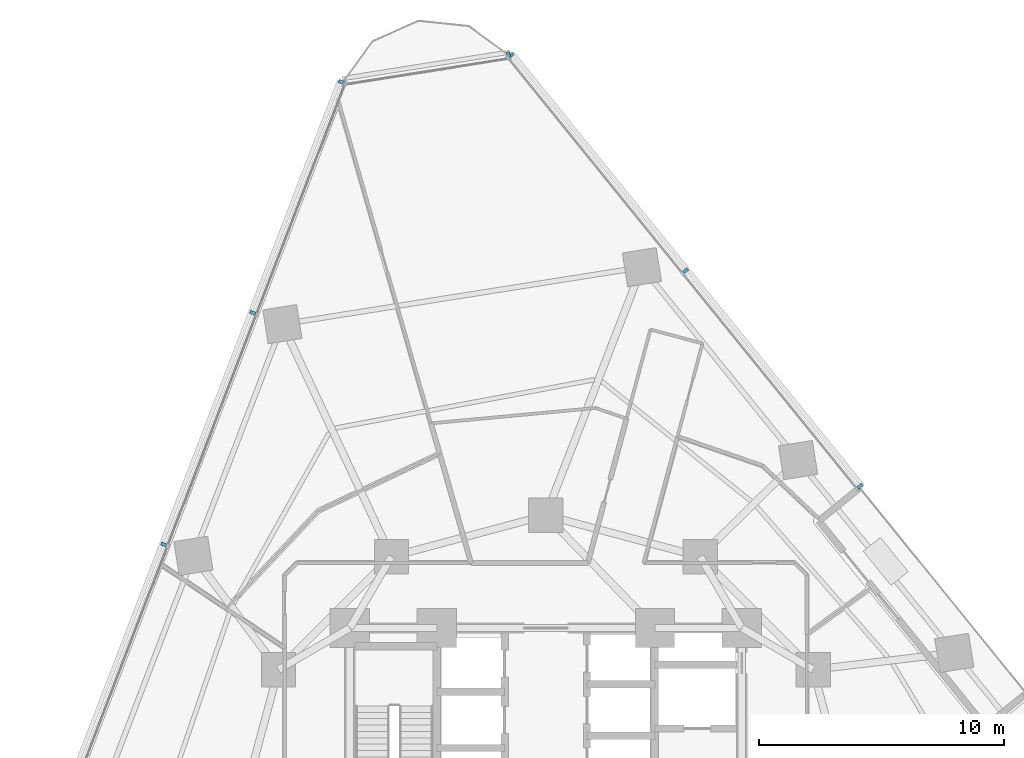
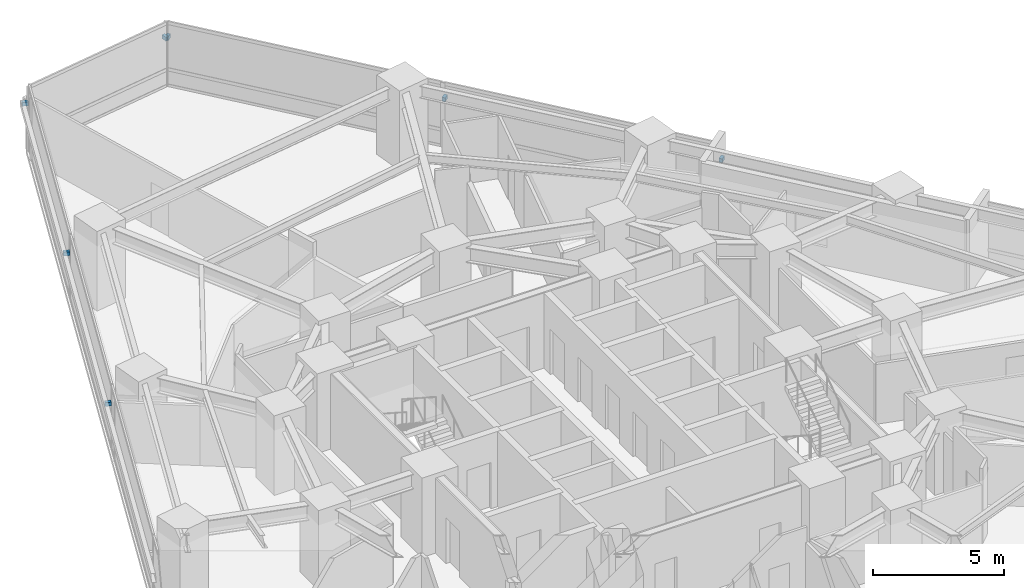
# One storey, part 11 of 14: 7 discrete accessories.
"""IFC4 building model written with IfcOpenShell, lengths in metres."""

from ifc_helpers import new_model, si_unit, direction, frame, origin, origin_2d, place, context, subcontext, project, spatial, rectangle, extrude, material, type_object, element, save


model = new_model("IFC4")

# Units and contexts
model_context = context("Model", 3, precision=1e-05, world=origin(), true_north=direction((0.0, 1.0)))
body_context = subcontext(model_context, "Body", "Model", "MODEL_VIEW")
ifc_project = project(units=[si_unit("LENGTHUNIT", "METRE"), si_unit("AREAUNIT", "SQUARE_METRE"), si_unit("VOLUMEUNIT", "CUBIC_METRE"), si_unit("PLANEANGLEUNIT", "RADIAN"), si_unit("MASSUNIT", "GRAM", prefix="KILO")], contexts=[model_context])

# Site, building, storey
site_placement = place(None, origin())
site = spatial("IfcSite", under=ifc_project, at=site_placement, CompositionType="ELEMENT")
building_placement = place(site_placement, origin())
building = spatial("IfcBuilding", under=site, at=building_placement, Name="Terralouvre Media Tower", CompositionType="ELEMENT")
storey_placement = place(building_placement, frame((0.0, 0.0, 63.0)))
storey = spatial("IfcBuildingStorey", under=building, at=storey_placement, Name="L15", CompositionType="ELEMENT", Elevation=63.0)

# Discrete accessories
ifc_material = material(Name="Anodised extruded aluminium 6063-T6", Category="aluminium")
discrete_accessory_type = type_object("IfcDiscreteAccessoryType", Name="Mullion Stand-Off Baguette Fixing Bracket BK-01", PredefinedType="BRACKET", material=ifc_material)
for number, where, z_axis, x_axis, name in (
    (1, (12.824951171875, 13.779296875, 2.07421875), (0.0, 0.0, 1.0), (-0.629320595049, 0.777145796262, 0.0), "CW-L15-F1R Baguette Outrigger Bracket 1.01"),
    (2, (5.699462890625, 22.57861328125, 2.07421875), (0.0, 0.0, 1.0), (-0.629320595049, 0.777145796262, 0.0), "CW-L15-F1R Baguette Outrigger Bracket 1.02"),
    (3, (-1.426025390625, 31.377685546875, 2.07421875), (0.0, 0.0, 1.0), (-0.629320595049, 0.777145796262, 0.0), "CW-L15-F1R Baguette Outrigger Bracket 1.03"),
    (4, (-8.340087890625, 30.28271484375, 2.07421875), (0.0, 0.0, 1.0), (-0.358367917006, -0.933580438988, 0.0), "CW-L15-F2 Baguette Outrigger Bracket 1.01"),
    (5, (-11.956298828125, 20.8623046875, 2.07421875), (0.0, 0.0, 1.0), (-0.358367917006, -0.933580438988, 0.0), "CW-L15-F2 Baguette Outrigger Bracket 1.02"),
    (6, (-15.585693359375, 11.406982421875, 2.07421875), (0.0, 0.0, 1.0), (-0.358367917006, -0.933580438988, 0.0), "CW-L15-F2 Baguette Outrigger Bracket 1.03"),
    (7, (-1.520751953125, 31.395751953125, 2.07421875), (0.0, 0.0, 1.0), (-0.987688353034, -0.156434386502, 0.0), "CW-L15-C2 Baguette Outrigger Bracket 1.01"),
):
    element("IfcDiscreteAccessory", number, at=place(storey_placement, frame(where, z_axis=z_axis, x_axis=x_axis)), inside=storey, type_object=discrete_accessory_type, Name=name, PredefinedType="BRACKET", context=body_context, shape_type="SweptSolid", body=[
        extrude(rectangle(XDim=0.139892578125, YDim=0.239990234375, at=origin_2d()), origin(), (0.0, 0.0, 1.0), 0.179931640625),
    ])

save(model, "model.ifc")
